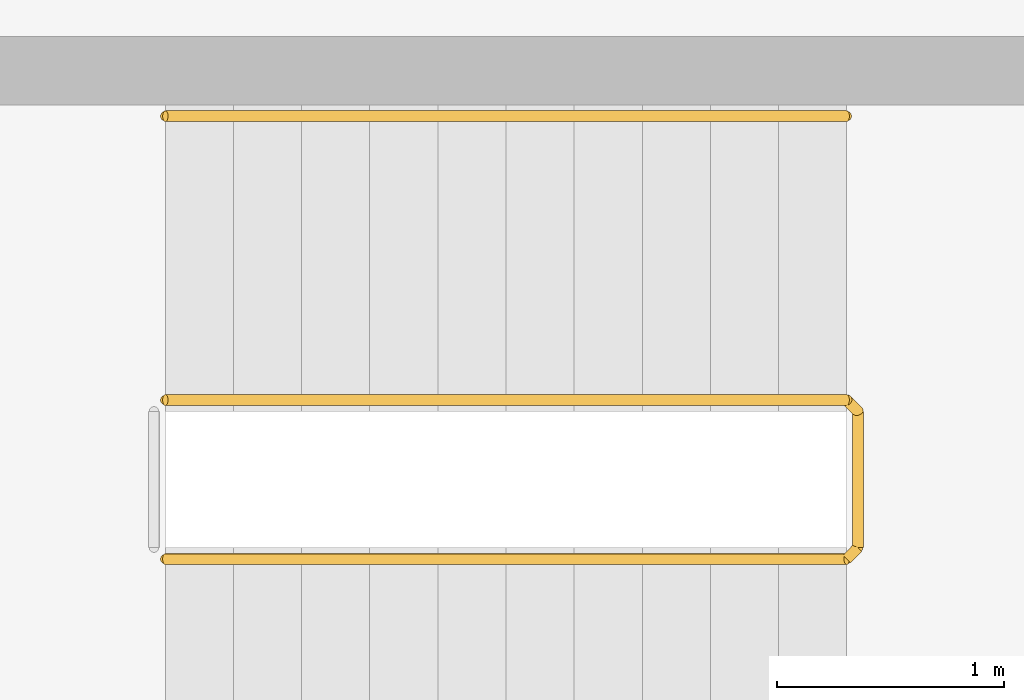
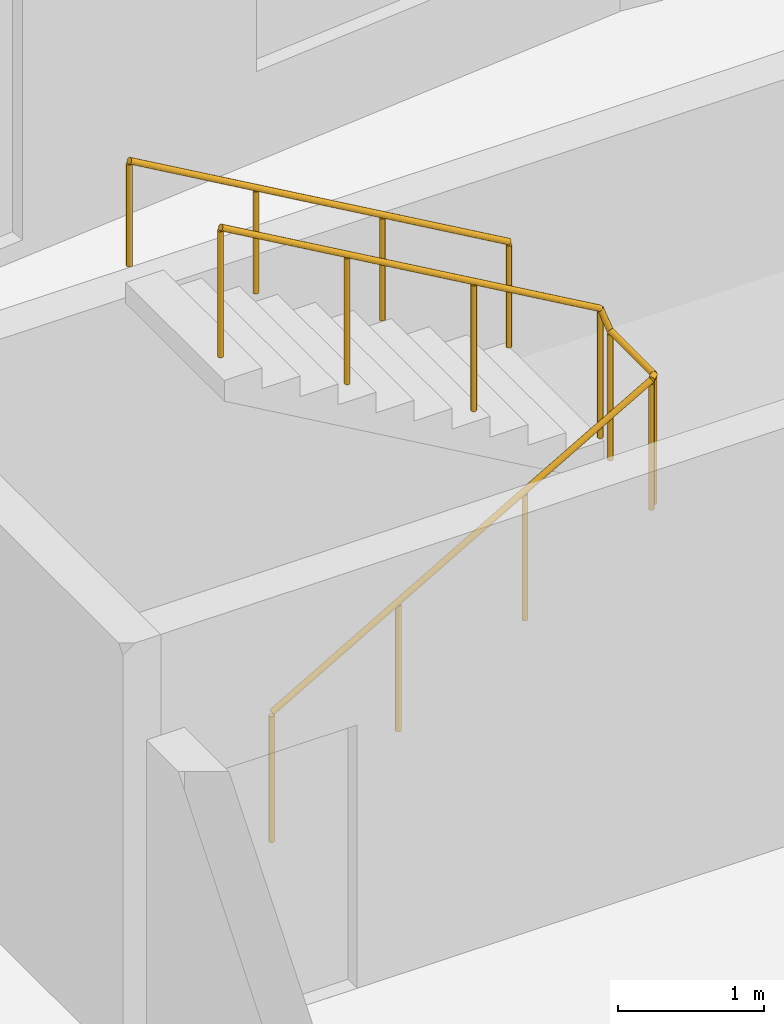
# One storey, part 10 of 10: 2 railings.
"""IFC4 building model written with IfcOpenShell, lengths in metres."""

from ifc_helpers import new_model, si_unit, direction, frame, origin, origin_2d, place, context, subcontext, project, spatial, circle, extrude, material, type_object, element, save


model = new_model("IFC4")

# Units and contexts
model_context = context("Model", 3, precision=1e-05, world=origin(), true_north=direction((0.0, 1.0)))
body_context = subcontext(model_context, "Body", "Model", "MODEL_VIEW")
ifc_project = project(units=[si_unit("LENGTHUNIT", "METRE"), si_unit("AREAUNIT", "SQUARE_METRE"), si_unit("VOLUMEUNIT", "CUBIC_METRE"), si_unit("PLANEANGLEUNIT", "RADIAN"), si_unit("MASSUNIT", "GRAM", prefix="KILO")], contexts=[model_context])

# Site, building, storey
site_placement = place(None, origin())
site = spatial("IfcSite", under=ifc_project, at=site_placement, CompositionType="ELEMENT")
building_placement = place(site_placement, origin())
building = spatial("IfcBuilding", under=site, at=building_placement, Name="Brondeck Convention Tower", CompositionType="ELEMENT")
storey_placement = place(building_placement, frame((0.0, 0.0, 166.199951171875)))
storey = spatial("IfcBuildingStorey", under=building, at=storey_placement, Name="L40", CompositionType="ELEMENT", Elevation=166.199951171875)

# Railings
ifc_material = material(Name="Steel S355", Category="steel")
railing_type_1 = type_object("IfcRailingType", Name="Stair guard 1100", PredefinedType="GUARDRAIL", material=ifc_material)
railing_1_placement = place(storey_placement, frame((37.85009765625, 55.449951171875, 0.1728515625)))
element("IfcRailing", 1, at=railing_1_placement, inside=storey, type_object=railing_type_1, Name="L40 ST-AE stair guard 1", PredefinedType="GUARDRAIL", context=body_context, shape_type="SweptSolid", body=[
    extrude(circle(Radius=0.02392578125, at=origin_2d()), frame((0.0, 0.0, 1.076171875), z_axis=(0.866619684472, 0.0, 0.498969260062), x_axis=(0.0, 1.0, 0.0)), (0.0, 0.0, 1.0), 3.461669921875),
    extrude(circle(Radius=0.02392578125, at=origin_2d()), frame((3.0, 0.0, 2.80322265625), z_axis=(0.705375805398, 0.708833529934, 0.0), x_axis=(-0.708833529934, 0.705375805398, 0.0)), (0.0, 0.0, 1.0), 0.070556640625),
    extrude(circle(Radius=0.02392578125, at=origin_2d()), frame((3.0498046875, 0.050048828125, 2.80322265625), z_axis=(0.0, 1.0, 0.0), x_axis=(-1.0, 0.0, 0.0)), (0.0, 0.0, 1.0), 0.60009765625),
    extrude(circle(Radius=0.02392578125, at=origin_2d()), frame((3.0498046875, 0.650146484375, 2.80322265625), z_axis=(-0.26715648603, 0.26715648603, 0.925880566782), x_axis=(-0.707106781187, -0.707106781187, 0.0)), (0.0, 0.0, 1.0), 0.1865234375),
    extrude(circle(Radius=0.02392578125, at=origin_2d()), frame((3.0, 0.699951171875, 2.97607421875), z_axis=(-0.866619684472, 0.0, 0.498969260062), x_axis=(0.0, -1.0, 0.0)), (0.0, 0.0, 1.0), 3.461669921875),
    extrude(circle(Radius=0.02099609375, at=origin_2d()), origin(), (0.0, 0.0, 1.0), 1.052001953125),
    extrude(circle(Radius=0.02099609375, at=origin_2d()), frame((1.0, 0.0, 0.57568359375)), (0.0, 0.0, 1.0), 1.052001953125),
    extrude(circle(Radius=0.02099609375, at=origin_2d()), frame((2.0, 0.0, 1.151611328125)), (0.0, 0.0, 1.0), 1.052001953125),
    extrude(circle(Radius=0.02099609375, at=origin_2d()), frame((3.0, 0.0, 1.727294921875)), (0.0, 0.0, 1.0), 1.052001953125),
    extrude(circle(Radius=0.02099609375, at=origin_2d()), frame((3.0498046875, 0.050048828125, 1.727294921875)), (0.0, 0.0, 1.0), 1.052001953125),
    extrude(circle(Radius=0.02099609375, at=origin_2d()), frame((3.0498046875, 0.650146484375, 1.727294921875)), (0.0, 0.0, 1.0), 1.052001953125),
    extrude(circle(Radius=0.02099609375, at=origin_2d()), frame((3.0, 0.699951171875, 1.89990234375)), (0.0, 0.0, 1.0), 1.052001953125),
    extrude(circle(Radius=0.02099609375, at=origin_2d()), frame((2.0, 0.699951171875, 2.4755859375)), (0.0, 0.0, 1.0), 1.052001953125),
    extrude(circle(Radius=0.02099609375, at=origin_2d()), frame((1.0, 0.699951171875, 3.051513671875)), (0.0, 0.0, 1.0), 1.052001953125),
    extrude(circle(Radius=0.02099609375, at=origin_2d()), frame((0.0, 0.699951171875, 3.627197265625)), (0.0, 0.0, 1.0), 1.052001953125),
])
railing_type_2 = type_object("IfcRailingType", Name="Stair handrail", PredefinedType="HANDRAIL", material=ifc_material)
railing_2_placement = place(storey_placement, frame((40.85009765625, 57.39990234375, 2.07275390625)))
element("IfcRailing", 2, at=railing_2_placement, inside=storey, type_object=railing_type_2, Name="L40 ST-AE stair handrail 2", PredefinedType="HANDRAIL", context=body_context, shape_type="SweptSolid", body=[
    extrude(circle(Radius=0.02392578125, at=origin_2d()), frame((0.0, 0.0, 0.8759765625), z_axis=(-0.866619684472, 0.0, 0.498969260062), x_axis=(0.0, -1.0, 0.0)), (0.0, 0.0, 1.0), 3.461669921875),
    extrude(circle(Radius=0.02099609375, at=origin_2d()), origin(), (0.0, 0.0, 1.0), 0.851806640625),
    extrude(circle(Radius=0.02099609375, at=origin_2d()), frame((-1.0, 0.0, 0.57568359375)), (0.0, 0.0, 1.0), 0.851806640625),
    extrude(circle(Radius=0.02099609375, at=origin_2d()), frame((-2.0, 0.0, 1.151611328125)), (0.0, 0.0, 1.0), 0.851806640625),
    extrude(circle(Radius=0.02099609375, at=origin_2d()), frame((-3.0, 0.0, 1.727294921875)), (0.0, 0.0, 1.0), 0.851806640625),
])

save(model, "model.ifc")
